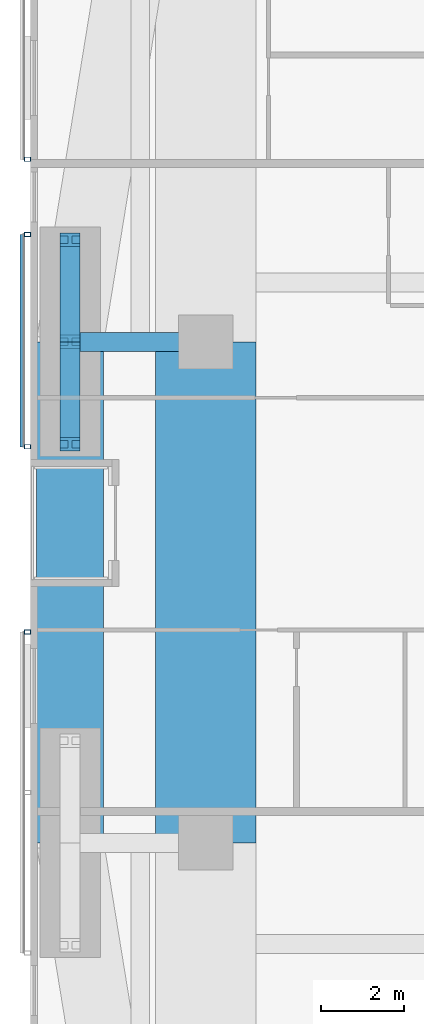
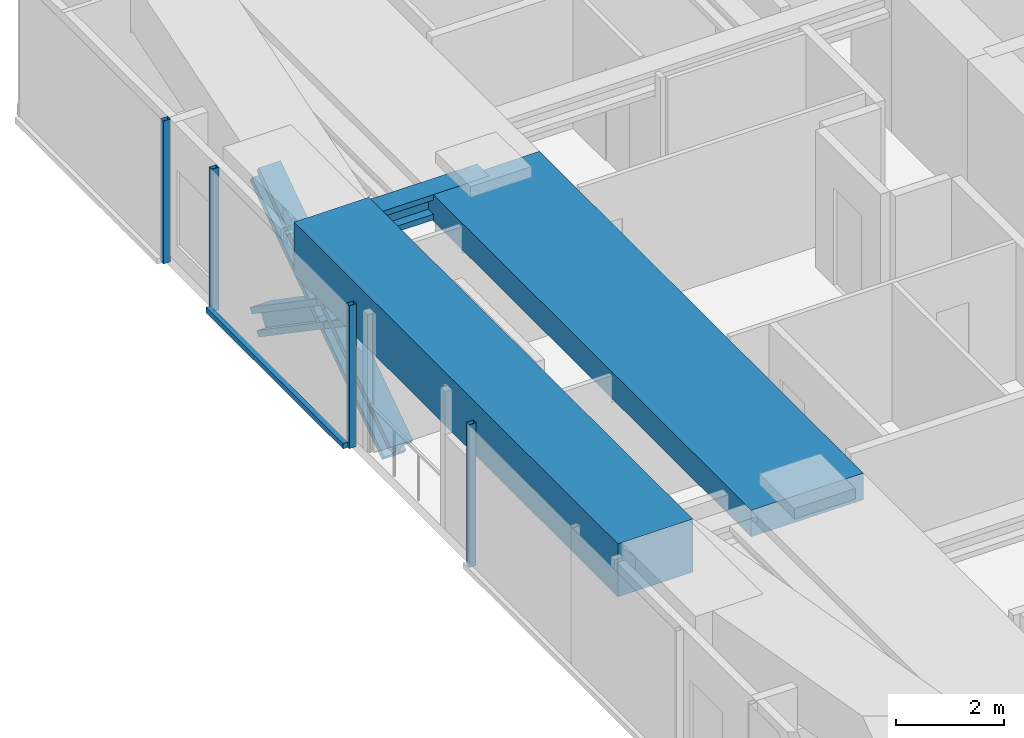
# One storey, part 7 of 25: 9 members, 3 beams, 3 elements without a shape of their own.
"""IFC4 building model written with IfcOpenShell, lengths in metres."""

import ifcopenshell
import ifcopenshell.guid

model = None  # the IFC model being written
_history = None  # IfcOwnerHistory: only IFC2X3 demands one
_inside = {}  # id of a spatial element -> (the spatial element, [elements in it])
_under = {}  # id of a project, library or spatial element -> (it, [spatial elements below it])
_declared = {}  # id of a project -> (the project, [libraries it declares])
_typed = {}  # id of a type object -> (the type object, [elements of that type])
_made_of = {}  # id of a material, layer set ... -> (it, [elements and type objects made of it])


def new_model(schema):
    """Start an empty IFC model of exactly this schema.

    Asked for "IFC4X3", IfcOpenShell would pick the latest addendum, in which some entities
    have other attributes; the version numbers below select the first issue.
    IFC2X3 requires an IfcOwnerHistory on every rooted entity: one is made here for all.
    """
    global model, _history
    if schema == "IFC4X3":
        model = ifcopenshell.file(schema_version=(4, 3, 0, 0))
    else:
        model = ifcopenshell.file(schema=schema)
    _inside.clear()
    _under.clear()
    _declared.clear()
    _typed.clear()
    _made_of.clear()
    _history = None
    if model.schema == "IFC2X3":
        org = make("IfcOrganization", Name="unknown")
        user = make(
            "IfcPersonAndOrganization",
            ThePerson=make("IfcPerson", FamilyName="unknown"),
            TheOrganization=org,
        )
        app = make(
            "IfcApplication",
            ApplicationDeveloper=org,
            Version="unknown",
            ApplicationFullName="unknown",
            ApplicationIdentifier="unknown",
        )
        _history = make(
            "IfcOwnerHistory",
            OwningUser=user,
            OwningApplication=app,
            ChangeAction="ADDED",
            CreationDate=0,
        )
    return model


def make(cls, **values):
    """One entity of the class cls with the attributes given. An attribute that is None is left unset."""
    return model.create_entity(
        cls, **{name: value for name, value in values.items() if value is not None}
    )


def rooted(cls, **values):
    """An entity with a GlobalId (a new one), such as an element, a storey or a relation."""
    return make(cls, GlobalId=ifcopenshell.guid.new(), OwnerHistory=_history, **values)


def si_unit(unit_type, name, prefix=None):
    """IfcSIUnit, for example si_unit("LENGTHUNIT", "METRE", prefix="MILLI")."""
    return make("IfcSIUnit", UnitType=unit_type, Prefix=prefix, Name=name)


def assignment(units):
    """IfcUnitAssignment: the units of a project."""
    return None if units is None else make("IfcUnitAssignment", Units=units)


def point(xyz):
    """IfcCartesianPoint."""
    return None if xyz is None else make("IfcCartesianPoint", Coordinates=xyz)


def direction(xyz):
    """IfcDirection."""
    return None if xyz is None else make("IfcDirection", DirectionRatios=xyz)


def frame(location, z_axis=None, x_axis=None):
    """IfcAxis2Placement3D, a coordinate frame: its origin and axes. An axis left out is left unset."""
    return make(
        "IfcAxis2Placement3D",
        Location=point(location),
        Axis=direction(z_axis),
        RefDirection=direction(x_axis),
    )


def frame_2d(location, x_axis=None):
    """IfcAxis2Placement2D, a coordinate frame in the plane: its origin and x axis."""
    return make(
        "IfcAxis2Placement2D", Location=point(location), RefDirection=direction(x_axis)
    )


def origin():
    """The frame at (0, 0, 0) with its axes left unset."""
    return frame((0.0, 0.0, 0.0))


def origin_2d():
    """The frame at (0, 0) in the plane with its x axis left unset."""
    return frame_2d((0.0, 0.0))


def place(relative_to, where):
    """IfcLocalPlacement: puts the frame where relative to a parent placement (None: the world)."""
    return make(
        "IfcLocalPlacement", PlacementRelTo=relative_to, RelativePlacement=where
    )


def context(
    kind, dimensions, precision=None, world=None, true_north=None, identifier=None
):
    """IfcGeometricRepresentationContext, for example the 3D "Model" context."""
    return make(
        "IfcGeometricRepresentationContext",
        ContextIdentifier=identifier,
        ContextType=kind,
        CoordinateSpaceDimension=dimensions,
        Precision=precision,
        WorldCoordinateSystem=world,
        TrueNorth=true_north,
    )


def subcontext(parent, identifier, kind, view, scale=None):
    """IfcGeometricRepresentationSubContext, for example "Body" below "Model"."""
    return make(
        "IfcGeometricRepresentationSubContext",
        ContextIdentifier=identifier,
        ContextType=kind,
        ParentContext=parent,
        TargetScale=scale,
        TargetView=view,
    )


def project(units=None, contexts=None):
    """IfcProject with its units and contexts."""
    return rooted(
        "IfcProject",
        Name="project",
        RepresentationContexts=contexts,
        UnitsInContext=assignment(units),
    )


def spatial(cls, under=None, at=None, **own):
    """A site, building, storey or space (cls), placed at a placement, below another one or the project."""
    s = rooted(cls, ObjectPlacement=at, **own)
    if under is not None:
        _under.setdefault(under.id(), (under, []))[1].append(s)
    return s


def profile(cls, at=None, kind="AREA", **sizes):
    """A parametric profile (cls). Its sizes go by their IFC names, for example OverallWidth=200.0."""
    return make(cls, ProfileType=kind, Position=at, **sizes)


def rectangle(**sizes):
    """IfcRectangleProfileDef."""
    return profile("IfcRectangleProfileDef", **sizes)


def hollow_rectangle(**sizes):
    """IfcRectangleHollowProfileDef."""
    return profile("IfcRectangleHollowProfileDef", **sizes)


def i_section(**sizes):
    """IfcIShapeProfileDef."""
    return profile("IfcIShapeProfileDef", **sizes)


def extrude(swept, where, along, depth):
    """IfcExtrudedAreaSolid: the profile swept, set in the frame where, extruded along a direction by depth."""
    return make(
        "IfcExtrudedAreaSolid",
        SweptArea=swept,
        Position=where,
        ExtrudedDirection=direction(along),
        Depth=depth,
    )


def shape(context_of_items, identifier, shape_type, items):
    """IfcShapeRepresentation: the items that make up one representation, for example the "Body"."""
    return make(
        "IfcShapeRepresentation",
        ContextOfItems=context_of_items,
        RepresentationIdentifier=identifier,
        RepresentationType=shape_type,
        Items=items,
    )


def material(Name=None, Category=None):
    """IfcMaterial."""
    return make("IfcMaterial", Name=Name, Category=Category)


def material_profile(
    of_material, cross_section, Name=None, Category=None, Priority=None
):
    """IfcMaterialProfile: a cross section and its material."""
    return make(
        "IfcMaterialProfile",
        Name=Name,
        Material=of_material,
        Profile=cross_section,
        Priority=Priority,
        Category=Category,
    )


def profile_set(profiles, Name=None, composite=None):
    """IfcMaterialProfileSet."""
    return make(
        "IfcMaterialProfileSet",
        Name=Name,
        MaterialProfiles=profiles,
        CompositeProfile=composite,
    )


def made_of(thing, what):
    """Note that an element or type object is made of a material, layer set ...; save() writes the relation."""
    if what is not None:
        _made_of.setdefault(what.id(), (what, []))[1].append(thing)
    return thing


def type_object(cls, material=None, **own):
    """A type object (cls), such as IfcWallType, which elements share."""
    return made_of(rooted(cls, **own), material)


def element(
    cls,
    number,
    at=None,
    inside=None,
    cuts=None,
    type_object=None,
    material=None,
    context=None,
    identifier="Body",
    shape_type=None,
    held_by="IfcProductDefinitionShape",
    body=None,
    shapes=None,
    **own,
):
    """One element of the class cls, such as IfcWall. Its Tag is "e" and its number.

    at: its placement. inside: the storey or other place that contains it. cuts: it is an
    opening in that element (IfcRelVoidsElement). A single representation is given by context,
    identifier, shape_type and body (its items); several are given by shapes. held_by: the class
    of the entity that holds the representations. save() writes the other relations.
    """
    e = rooted(cls, Tag="e%d" % number, ObjectPlacement=at, **own)
    if body is not None:
        shapes = [shape(context, identifier, shape_type, body)]
    if shapes is not None:
        e.Representation = make(held_by, Representations=shapes)
    if inside is not None:
        _inside.setdefault(inside.id(), (inside, []))[1].append(e)
    if cuts is not None:
        rooted(
            "IfcRelVoidsElement", RelatingBuildingElement=cuts, RelatedOpeningElement=e
        )
    if type_object is not None:
        _typed.setdefault(type_object.id(), (type_object, []))[1].append(e)
    return made_of(e, material)


def aggregate(whole, parts):
    """IfcRelAggregates: a whole, such as a stair, and the parts it consists of."""
    return rooted("IfcRelAggregates", RelatingObject=whole, RelatedObjects=parts)


def save(model, path):
    """Write the relations noted so far, then the file.

    IfcRelAggregates (storeys below a building ...), IfcRelContainedInSpatialStructure (elements
    in a storey), IfcRelDefinesByType, IfcRelAssociatesMaterial and IfcRelDeclares: one each for
    every whole, place, type object, material and project.
    """
    for whole, parts in _under.values():
        aggregate(whole, parts)
    for where, things in _inside.values():
        rooted(
            "IfcRelContainedInSpatialStructure",
            RelatedElements=things,
            RelatingStructure=where,
        )
    for kind, things in _typed.values():
        rooted("IfcRelDefinesByType", RelatedObjects=things, RelatingType=kind)
    for what, things in _made_of.values():
        rooted("IfcRelAssociatesMaterial", RelatedObjects=things, RelatingMaterial=what)
    for by, libraries in _declared.values():
        rooted("IfcRelDeclares", RelatingContext=by, RelatedDefinitions=libraries)
    model.write(path)


model = new_model("IFC4")

# Units and contexts
model_context = context("Model", 3, precision=1e-05, world=origin(), true_north=direction((0.0, 1.0)))
body_context = subcontext(model_context, "Body", "Model", "MODEL_VIEW")
ifc_project = project(units=[si_unit("LENGTHUNIT", "METRE"), si_unit("AREAUNIT", "SQUARE_METRE"), si_unit("VOLUMEUNIT", "CUBIC_METRE"), si_unit("PLANEANGLEUNIT", "RADIAN"), si_unit("MASSUNIT", "GRAM", prefix="KILO")], contexts=[model_context])

# Site, building, storey
site_placement = place(None, origin())
site = spatial("IfcSite", under=ifc_project, at=site_placement, CompositionType="ELEMENT")
building_placement = place(site_placement, origin())
building = spatial("IfcBuilding", under=site, at=building_placement, Name="Jalousie Tower", CompositionType="ELEMENT")
storey_placement = place(building_placement, frame((0.0, 0.0, 101.5)))
storey = spatial("IfcBuildingStorey", under=building, at=storey_placement, Name="L27", CompositionType="ELEMENT", Elevation=101.5)

# Beam
ifc_material_1 = material(Name="Steel ASTM A992 Grade 50", Category="steel")
ifc_material_profile_1 = material_profile(ifc_material_1, i_section(OverallWidth=0.45458984375, OverallDepth=0.569091796875, WebThickness=0.077880859375, FlangeThickness=0.124755859375, at=origin_2d()), Name="W14X730")
ifc_profile_set_1 = profile_set([ifc_material_profile_1], Name="Steel ASTM A992 Grade 50")
beam_type_1 = type_object("IfcBeamType", Name="LEAN COLLECTOR W14X730", PredefinedType="BEAM", material=ifc_profile_set_1)
beam_1_placement = place(storey_placement, frame((6.949951171875, 25.0, 2.825439453125), z_axis=(1.0, 0.0, 0.0), x_axis=(0.0, 1.0, 0.0)))
element("IfcBeam", 1, at=beam_1_placement, inside=storey, type_object=beam_type_1, Name="Lean collector under L28", PredefinedType="BEAM", context=body_context, shape_type="SweptSolid", body=[
    extrude(i_section(OverallWidth=0.45458984375, OverallDepth=0.569091796875, WebThickness=0.077880859375, FlangeThickness=0.124755859375, at=origin_2d()), origin(), (0.0, 0.0, 1.0), 3.25),
])

# Members
ifc_material_2 = material(Name="Steel ASTM A992 Grade 50", Category="steel")
ifc_material_profile_2 = material_profile(ifc_material_2, i_section(OverallWidth=0.472412109375, OverallDepth=0.5791015625, WebThickness=0.094970703125, FlangeThickness=0.1298828125, at=origin_2d()), Name="W14X808")
ifc_profile_set_2 = profile_set([ifc_material_profile_2], Name="Steel ASTM A992 Grade 50")
member_type_1 = type_object("IfcMemberType", Name="PERIMETER BRACE W14X808", PredefinedType="BRACE", material=ifc_profile_set_2)
for number, where, z_axis, x_axis, name in (
    (2, (6.949951171875, 22.550048828125, -0.60009765625), (0.0, 0.825500916831, 0.564400776321), (-1.0, 0.0, 0.0), "Perimeter brace 13 L27 part 1"),
    (3, (6.949951171875, 25.0, 1.074951171875), (0.0, 0.825500916831, 0.564400776321), (-1.0, 0.0, 0.0), "Perimeter brace 13 L27 part 2"),
    (4, (6.949951171875, 27.449951171875, -0.60009765625), (0.0, -0.825500916831, 0.564400776321), (1.0, 0.0, 0.0), "Perimeter brace 13 L27 part 3"),
    (5, (6.949951171875, 25.0, 1.074951171875), (0.0, -0.825500916831, 0.564400776321), (1.0, 0.0, 0.0), "Perimeter brace 13 L27 part 4"),
):
    element("IfcMember", number, at=place(storey_placement, frame(where, z_axis=z_axis, x_axis=x_axis)), inside=storey, type_object=member_type_1, Name=name, PredefinedType="BRACE", context=body_context, shape_type="SweptSolid", body=[
        extrude(i_section(OverallWidth=0.472412109375, OverallDepth=0.5791015625, WebThickness=0.094970703125, FlangeThickness=0.1298828125, at=origin_2d()), origin(), (0.0, 0.0, 1.0), 2.9677734375),
    ])

# Beams
ifc_material_3 = material(Name="Concrete f'c 40 MPa", Category="concrete")
ifc_material_profile_3 = material_profile(ifc_material_3, rectangle(XDim=1.60009765625, YDim=1.199951171875, at=origin_2d()), Name="RC 1600x1200")
ifc_profile_set_3 = profile_set([ifc_material_profile_3], Name="Concrete f'c 40 MPa")
beam_type_2 = type_object("IfcBeamType", Name="RC BEAM 1600x1200", PredefinedType="BEAM", material=ifc_profile_set_3)
beam_2_placement = place(storey_placement, frame((6.949951171875, 25.0, 2.75), z_axis=(0.0, -1.0, 0.0), x_axis=(1.0, 0.0, 0.0)))
element("IfcBeam", 6, at=beam_2_placement, inside=storey, type_object=beam_type_2, Name="Edge band beam 13-14 under L28", PredefinedType="BEAM", context=body_context, shape_type="SweptSolid", body=[
    extrude(rectangle(XDim=1.60009765625, YDim=1.199951171875, at=origin_2d()), origin(), (0.0, 0.0, 1.0), 12.0),
])
ifc_material_4 = material(Name="Concrete f'c 40 MPa", Category="concrete")
ifc_material_profile_4 = material_profile(ifc_material_4, rectangle(XDim=2.39990234375, YDim=0.60009765625, at=origin_2d()), Name="RC 2400x600")
ifc_profile_set_4 = profile_set([ifc_material_profile_4], Name="Concrete f'c 40 MPa")
beam_type_3 = type_object("IfcBeamType", Name="RC BEAM 2400x600", PredefinedType="BEAM", material=ifc_profile_set_4)
beam_3_placement = place(storey_placement, frame((10.199951171875, 13.0, 2.81005859375), z_axis=(0.0, 1.0, 0.0), x_axis=(-1.0, 0.0, 0.0)))
element("IfcBeam", 7, at=beam_3_placement, inside=storey, type_object=beam_type_3, Name="Floor band beam under L28", PredefinedType="BEAM", context=body_context, shape_type="SweptSolid", body=[
    extrude(rectangle(XDim=2.39990234375, YDim=0.60009765625, at=origin_2d()), origin(), (0.0, 0.0, 1.0), 12.0),
])

# Curtain wall, member
ifc_material_5 = material(Name="Perforated aluminium sheet", Category="aluminium")
curtain_wall_type = type_object("IfcCurtainWallType", Name="SOLAR SCREEN SS-1", PredefinedType="USERDEFINED", material=ifc_material_5)
curtain_wall_1_placement = place(storey_placement, origin())
curtain_wall_1 = element("IfcCurtainWall", 8, at=curtain_wall_1_placement, inside=storey, type_object=curtain_wall_type, Name="Solar screen L27", ObjectType="SOLAR SCREEN SS-1", PredefinedType="USERDEFINED")
ifc_material_6 = material(Name="Steel ASTM A500 Grade C", Category="steel")
ifc_material_profile_5 = material_profile(ifc_material_6, hollow_rectangle(XDim=0.1015625, YDim=0.15234375, WallThickness=0.00634765625, at=origin_2d()), Name="HSS6X4X1/4")
ifc_profile_set_5 = profile_set([ifc_material_profile_5], Name="Steel ASTM A500 Grade C")
member_type_2 = type_object("IfcMemberType", Name="SOLAR SCREEN SS-1 MULLION", PredefinedType="MULLION", material=ifc_profile_set_5)
member_1_placement = place(storey_placement, frame((5.9287109375, 29.375, -0.1201171875), z_axis=(0.0, 0.0, 1.0), x_axis=(0.0, -1.0, 0.0)))
member_1 = element("IfcMember", 9, at=member_1_placement, type_object=member_type_2, Name="SS1 post 2", PredefinedType="MULLION", context=body_context, shape_type="SweptSolid", body=[
    extrude(hollow_rectangle(XDim=0.1015625, YDim=0.15234375, WallThickness=0.00634765625, at=origin_2d()), origin(), (0.0, 0.0, 1.0), 3.230224609375),
])
aggregate(curtain_wall_1, [member_1])

# Curtain wall, members
curtain_wall_2_placement = place(storey_placement, origin())
curtain_wall_2 = element("IfcCurtainWall", 10, at=curtain_wall_2_placement, inside=storey, type_object=curtain_wall_type, Name="Solar screen L27", ObjectType="SOLAR SCREEN SS-1", PredefinedType="USERDEFINED")
member_2_placement = place(storey_placement, frame((5.9287109375, 27.574951171875, -0.1201171875), z_axis=(0.0, 0.0, 1.0), x_axis=(0.0, -1.0, 0.0)))
member_2 = element("IfcMember", 11, at=member_2_placement, type_object=member_type_2, Name="SS1 post 1", PredefinedType="MULLION", context=body_context, shape_type="SweptSolid", body=[
    extrude(hollow_rectangle(XDim=0.1015625, YDim=0.15234375, WallThickness=0.00634765625, at=origin_2d()), origin(), (0.0, 0.0, 1.0), 3.230224609375),
])
member_3_placement = place(storey_placement, frame((5.9287109375, 22.487548828125, -0.1201171875), z_axis=(0.0, 0.0, 1.0), x_axis=(0.0, -1.0, 0.0)))
member_3 = element("IfcMember", 12, at=member_3_placement, type_object=member_type_2, Name="SS1 post 2", PredefinedType="MULLION", context=body_context, shape_type="SweptSolid", body=[
    extrude(hollow_rectangle(XDim=0.1015625, YDim=0.15234375, WallThickness=0.00634765625, at=origin_2d()), origin(), (0.0, 0.0, 1.0), 3.230224609375),
])

# Curtain wall, member
curtain_wall_3_placement = place(storey_placement, origin())
curtain_wall_3 = element("IfcCurtainWall", 13, at=curtain_wall_3_placement, inside=storey, type_object=curtain_wall_type, Name="Solar screen L27", ObjectType="SOLAR SCREEN SS-1", PredefinedType="USERDEFINED")
member_4_placement = place(storey_placement, frame((5.9287109375, 18.050048828125, -0.1201171875), z_axis=(0.0, 0.0, 1.0), x_axis=(0.0, -1.0, 0.0)))
member_4 = element("IfcMember", 14, at=member_4_placement, type_object=member_type_2, Name="SS1 post 1", PredefinedType="MULLION", context=body_context, shape_type="SweptSolid", body=[
    extrude(hollow_rectangle(XDim=0.1015625, YDim=0.15234375, WallThickness=0.00634765625, at=origin_2d()), origin(), (0.0, 0.0, 1.0), 3.230224609375),
])
aggregate(curtain_wall_3, [member_4])

# Member
ifc_material_7 = material(Name="Extruded aluminium screen rail", Category="aluminium")
ifc_material_profile_6 = material_profile(ifc_material_7, rectangle(XDim=0.1015625, YDim=0.1201171875, at=origin_2d()), Name="RAIL 102x120")
ifc_profile_set_6 = profile_set([ifc_material_profile_6], Name="Extruded aluminium screen rail")
member_type_3 = type_object("IfcMemberType", Name="SOLAR SCREEN SS-1 TRANSOM", PredefinedType="USERDEFINED", material=ifc_profile_set_6)
member_5_placement = place(storey_placement, frame((5.8017578125, 27.574951171875, -0.06005859375), z_axis=(0.0, -1.0, 0.0), x_axis=(1.0, 0.0, 0.0)))
member_5 = element("IfcMember", 15, at=member_5_placement, type_object=member_type_3, Name="SS1 rail", ObjectType="TRANSOM", PredefinedType="USERDEFINED", context=body_context, shape_type="SweptSolid", body=[
    extrude(rectangle(XDim=0.1015625, YDim=0.1201171875, at=origin_2d()), origin(), (0.0, 0.0, 1.0), 5.08740234375),
])

aggregate(curtain_wall_2, [member_2, member_3, member_5])

save(model, "model.ifc")
